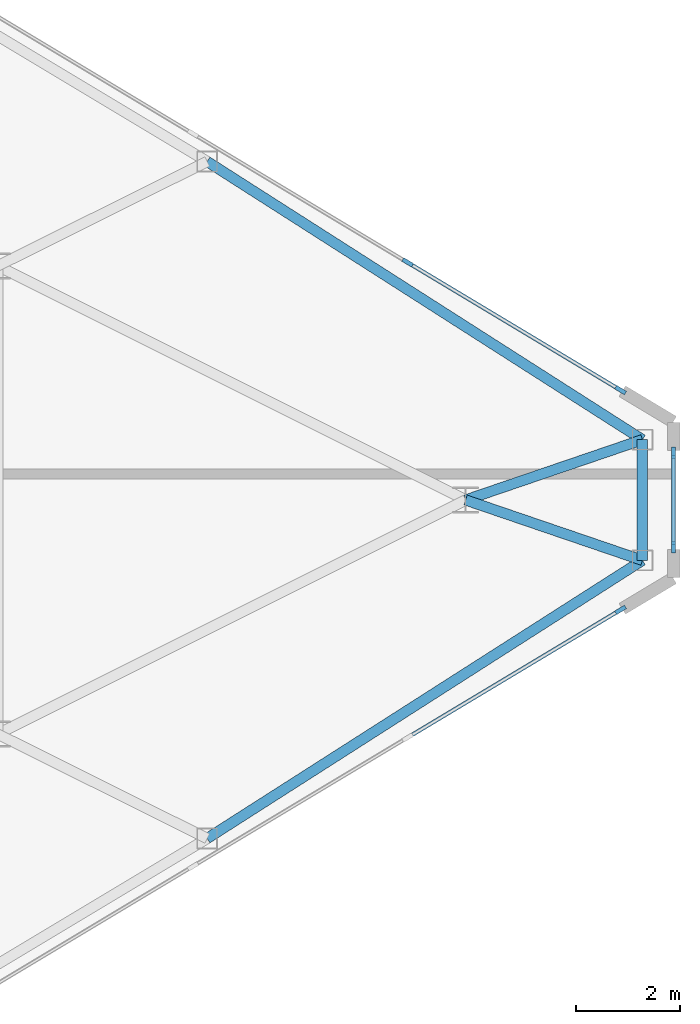
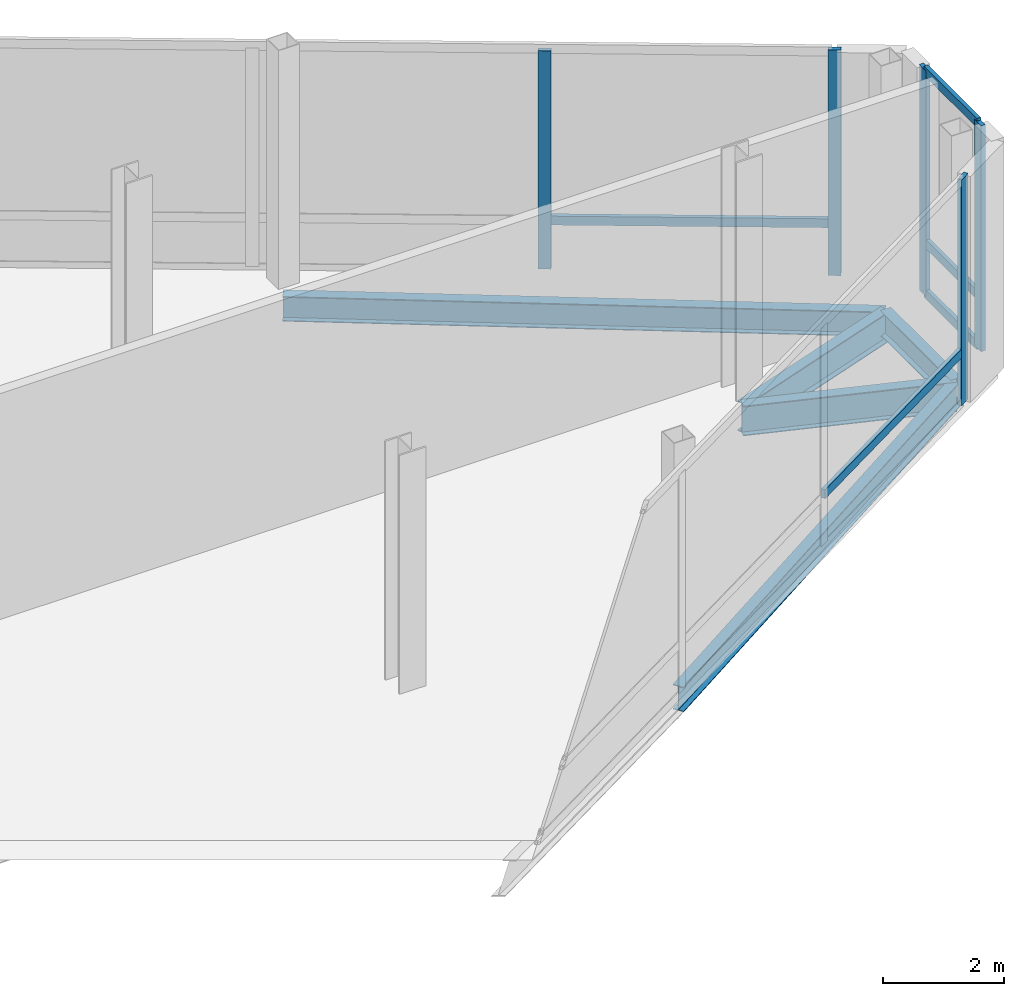
# One storey, part 18 of 29: 10 members, 5 beams, 3 elements without a shape of their own.
"""IFC4 building model written with IfcOpenShell, lengths in metres."""

from ifc_helpers import new_model, si_unit, direction, frame, origin, origin_2d, place, context, subcontext, project, spatial, rectangle, i_section, extrude, source, transform, mapped, material, layer, layer_set, material_profile, profile_set, type_object, type_shapes, element, aggregate, save


model = new_model("IFC4")

# Units and contexts
model_context = context("Model", 3, precision=1e-05, world=origin(), true_north=direction((0.0, 1.0)))
body_context = subcontext(model_context, "Body", "Model", "MODEL_VIEW")
ifc_project = project(units=[si_unit("LENGTHUNIT", "METRE"), si_unit("AREAUNIT", "SQUARE_METRE"), si_unit("VOLUMEUNIT", "CUBIC_METRE"), si_unit("PLANEANGLEUNIT", "RADIAN"), si_unit("MASSUNIT", "GRAM", prefix="KILO")], contexts=[model_context])

# Site, building, storey
site_placement = place(None, origin())
site = spatial("IfcSite", under=ifc_project, at=site_placement, CompositionType="ELEMENT")
building_placement = place(site_placement, origin())
building = spatial("IfcBuilding", under=site, at=building_placement, Name="Seokmaru Belvedere", CompositionType="ELEMENT")
storey_placement = place(building_placement, frame((0.0, 0.0, 229.800048828125)))
storey = spatial("IfcBuildingStorey", under=building, at=storey_placement, Name="L61", CompositionType="ELEMENT", Elevation=229.800048828125)

# Beams
ifc_material_1 = material(Name="Steel SM355 (355 MPa)", Category="steel")
ifc_material_profile_1 = material_profile(ifc_material_1, i_section(OverallWidth=0.199951171875, OverallDepth=0.5, WebThickness=0.010009765625, FlangeThickness=0.01611328125, at=origin_2d()), Name="H-500x200x10x16")
ifc_profile_set_1 = profile_set([ifc_material_profile_1], Name="Steel SM355 (355 MPa)")
beam_type_1 = type_object("IfcBeamType", Name="Perimeter Spandrel Beam H-500", PredefinedType="SPANDREL", material=ifc_profile_set_1)
shared_shape_1 = source(origin(), body_context, "Body", "SweptSolid", [
    extrude(i_section(OverallWidth=0.199951171875, OverallDepth=0.5, WebThickness=0.010009765625, FlangeThickness=0.01611328125, at=origin_2d()), origin(), (0.0, 0.0, 1.0), 9.932861328125),
])
for number, where, z_axis, x_axis, name in (
    (1, (58.530029296875, -6.5087890625, -0.510009765625), (0.842651960357, 0.538458609093, 0.0), (-0.538458609093, 0.842651960357, 0.0), "L61 E Faceted Flank Spandrel S-4"),
    (2, (58.530029296875, 6.5087890625, -0.510009765625), (0.842651960357, -0.538458609093, 0.0), (0.538458609093, 0.842651960357, 0.0), "L61 E Faceted Flank Spandrel N-4"),
):
    element("IfcBeam", number, at=place(storey_placement, frame(where, z_axis=z_axis, x_axis=x_axis)), inside=storey, type_object=beam_type_1, Name=name, PredefinedType="SPANDREL", context=body_context, shape_type="MappedRepresentation", body=[
        mapped(shared_shape_1, transform((0.0, 0.0, 0.0), scale=1.0)),
    ])
shared_shape_2 = source(origin(), body_context, "Body", "SweptSolid", [
    extrude(i_section(OverallWidth=0.199951171875, OverallDepth=0.5, WebThickness=0.010009765625, FlangeThickness=0.01611328125, at=origin_2d()), origin(), (0.0, 0.0, 1.0), 2.32080078125),
])
type_shapes(beam_type_1, [shared_shape_1, shared_shape_2])
beam_placement = place(storey_placement, frame((66.89990234375, -1.160400390625, -0.510009765625), z_axis=(0.0, 1.0, 0.0), x_axis=(-1.0, 0.0, 0.0)))
element("IfcBeam", 3, at=beam_placement, inside=storey, type_object=beam_type_1, Name="L61 E Faceted Apex Spandrel", PredefinedType="SPANDREL", context=body_context, shape_type="MappedRepresentation", body=[
    mapped(shared_shape_2, transform((0.0, 0.0, 0.0), scale=1.0)),
])
ifc_material_profile_2 = material_profile(ifc_material_1, i_section(OverallWidth=0.199951171875, OverallDepth=0.60009765625, WebThickness=0.010986328125, FlangeThickness=0.01708984375, at=origin_2d()), Name="H-600x200x11x17")
ifc_profile_set_2 = profile_set([ifc_material_profile_2], Name="Steel SM355 (355 MPa)")
beam_type_2 = type_object("IfcBeamType", Name="Primary Floor Girder H-600", PredefinedType="BEAM", material=ifc_profile_set_2)
shared_shape_3 = source(origin(), body_context, "Body", "SweptSolid", [
    extrude(i_section(OverallWidth=0.199951171875, OverallDepth=0.60009765625, WebThickness=0.010986328125, FlangeThickness=0.01708984375, at=origin_2d()), origin(), (0.0, 0.0, 1.0), 3.592529296875),
])
type_shapes(beam_type_2, [shared_shape_3])
for number, where, z_axis, x_axis, name in (
    (4, (66.89990234375, -1.160400390625, -0.56005859375), (-0.946395973048, 0.323008764893, 0.0), (-0.323008764893, -0.946395973048, 0.0), "L61 E Apex Radial Floor Girder 1"),
    (5, (66.89990234375, 1.160400390625, -0.56005859375), (-0.946395973048, -0.323008764893, 0.0), (0.323008764893, -0.946395973048, 0.0), "L61 E Apex Radial Floor Girder 2"),
):
    element("IfcBeam", number, at=place(storey_placement, frame(where, z_axis=z_axis, x_axis=x_axis)), inside=storey, type_object=beam_type_2, Name=name, PredefinedType="BEAM", context=body_context, shape_type="MappedRepresentation", body=[
        mapped(shared_shape_3, transform((0.0, 0.0, 0.0), scale=1.0)),
    ])

# Curtain wall, member
ifc_material_2 = material(Name="Bronze Triple Insulating Glass", Category="glass")
ifc_layer = layer(ifc_material_2, 0.219970703125)
ifc_layer_set = layer_set([ifc_layer], Name="Bronze Triple Insulating Glass")
curtain_wall_type = type_object("IfcCurtainWallType", Name="Sky-Gate Bridge Panorama Curtain Wall System CW-6", PredefinedType="NOTDEFINED", material=ifc_layer_set)
curtain_wall_1_placement = place(storey_placement, origin())
curtain_wall_1 = element("IfcCurtainWall", 6, at=curtain_wall_1_placement, inside=storey, type_object=curtain_wall_type, Name="L61 Curtain Wall EF1", PredefinedType="NOTDEFINED")
ifc_material_3 = material(Name="Anodised Bronze Aluminium", Category="aluminium")
ifc_material_profile_3 = material_profile(ifc_material_3, rectangle(XDim=0.080078125, YDim=0.219970703125, at=origin_2d()), Name="CW-M-80x220")
ifc_profile_set_3 = profile_set([ifc_material_profile_3], Name="Anodised Bronze Aluminium")
member_type_1 = type_object("IfcMemberType", Name="Bronze Unitised Mullion 80x220", PredefinedType="MULLION", material=ifc_profile_set_3)
shared_shape_4 = source(origin(), body_context, "Body", "SweptSolid", [
    extrude(rectangle(XDim=0.080078125, YDim=0.219970703125, at=origin_2d()), origin(), (0.0, 0.0, 1.0), 4.5400390625),
])
member_1_placement = place(storey_placement, frame((66.4794921875, -2.1123046875, 0.0), z_axis=(0.0, 0.0, 1.0), x_axis=(-0.514494909364, 0.85749343335, 0.0)))
member_1 = element("IfcMember", 7, at=member_1_placement, type_object=member_type_1, Name="CW:L61:EF1 Mullion 9", PredefinedType="MULLION", context=body_context, shape_type="MappedRepresentation", body=[
    mapped(shared_shape_4, transform((0.0, 0.0, 0.0), scale=1.0)),
])

# Curtain wall, members
curtain_wall_2_placement = place(storey_placement, origin())
curtain_wall_2 = element("IfcCurtainWall", 8, at=curtain_wall_2_placement, inside=storey, type_object=curtain_wall_type, Name="L61 Curtain Wall EF2", PredefinedType="NOTDEFINED")
member_2_placement = place(storey_placement, frame((67.5, -0.909912109375, 0.0), z_axis=(0.0, 0.0, 1.0), x_axis=(-1.0, 0.0, 0.0)))
member_2 = element("IfcMember", 9, at=member_2_placement, type_object=member_type_1, Name="CW:L61:EF2 Mullion 1", PredefinedType="MULLION", context=body_context, shape_type="MappedRepresentation", body=[
    mapped(shared_shape_4, transform((0.0, 0.0, 0.0), scale=1.0)),
])
member_3_placement = place(storey_placement, frame((67.5, 0.909912109375, 0.0), z_axis=(0.0, 0.0, 1.0), x_axis=(-1.0, 0.0, 0.0)))
member_3 = element("IfcMember", 10, at=member_3_placement, type_object=member_type_1, Name="CW:L61:EF2 Mullion 2", PredefinedType="MULLION", context=body_context, shape_type="MappedRepresentation", body=[
    mapped(shared_shape_4, transform((0.0, 0.0, 0.0), scale=1.0)),
])

curtain_wall_3_placement = place(storey_placement, origin())
curtain_wall_3 = element("IfcCurtainWall", 11, at=curtain_wall_3_placement, inside=storey, type_object=curtain_wall_type, Name="L61 Curtain Wall EF3", PredefinedType="NOTDEFINED")
member_4_placement = place(storey_placement, frame((66.4794921875, 2.1123046875, 0.0), z_axis=(0.0, 0.0, 1.0), x_axis=(-0.514494909364, -0.85749343335, 0.0)))
member_4 = element("IfcMember", 12, at=member_4_placement, type_object=member_type_1, Name="CW:L61:EF3 Mullion 1", PredefinedType="MULLION", context=body_context, shape_type="MappedRepresentation", body=[
    mapped(shared_shape_4, transform((0.0, 0.0, 0.0), scale=1.0)),
])
shared_shape_5 = source(origin(), body_context, "Body", "SweptSolid", [
    extrude(rectangle(XDim=0.080078125, YDim=0.219970703125, at=origin_2d()), origin(), (0.0, 0.0, 1.0), 4.389892578125),
])
type_shapes(member_type_1, [shared_shape_4, shared_shape_5])
member_5_placement = place(storey_placement, frame((62.385498046875, 4.56884765625, 0.074951171875), z_axis=(0.0, 0.0, 1.0), x_axis=(-0.514494909364, -0.85749343335, 0.0)))
member_5 = element("IfcMember", 13, at=member_5_placement, type_object=member_type_1, Name="CW:L61:EF3 Mullion 2", PredefinedType="MULLION", context=body_context, shape_type="MappedRepresentation", body=[
    mapped(shared_shape_5, transform((0.0, 0.0, 0.0), scale=1.0)),
])

# Member
ifc_material_profile_4 = material_profile(ifc_material_3, rectangle(XDim=0.074951171875, YDim=0.179931640625, at=origin_2d()), Name="CW-T-75x180")
ifc_profile_set_4 = profile_set([ifc_material_profile_4], Name="Anodised Bronze Aluminium")
member_type_2 = type_object("IfcMemberType", Name="Bronze Unitised Transom 75x180", PredefinedType="USERDEFINED", material=ifc_profile_set_4)
shared_shape_6 = source(origin(), body_context, "Body", "SweptSolid", [
    extrude(rectangle(XDim=0.074951171875, YDim=0.179931640625, at=origin_2d()), origin(), (0.0, 0.0, 1.0), 4.694580078125),
])
member_6_placement = place(storey_placement, frame((62.419677734375, -4.548095703125, 1.050048828125), z_axis=(0.85750210284, 0.514480459906, 0.0), x_axis=(-0.514480459906, 0.85750210284, 0.0)))
member_6 = element("IfcMember", 14, at=member_6_placement, type_object=member_type_2, Name="CW:L61:EF1 Spandrel Transom 8", ObjectType="TRANSOM", PredefinedType="USERDEFINED", context=body_context, shape_type="MappedRepresentation", body=[
    mapped(shared_shape_6, transform((0.0, 0.0, 0.0), scale=1.0)),
])

aggregate(curtain_wall_1, [member_1, member_6])

member_7_placement = place(storey_placement, frame((66.4453125, 2.1328125, 1.050048828125), z_axis=(-0.85750210284, 0.514480459906, 0.0), x_axis=(-0.514480459906, -0.85750210284, 0.0)))
member_7 = element("IfcMember", 15, at=member_7_placement, type_object=member_type_2, Name="CW:L61:EF3 Spandrel Transom 1", ObjectType="TRANSOM", PredefinedType="USERDEFINED", context=body_context, shape_type="MappedRepresentation", body=[
    mapped(shared_shape_6, transform((0.0, 0.0, 0.0), scale=1.0)),
])

aggregate(curtain_wall_3, [member_4, member_5, member_7])

shared_shape_7 = source(origin(), body_context, "Body", "SweptSolid", [
    extrude(rectangle(XDim=0.074951171875, YDim=0.179931640625, at=origin_2d()), origin(), (0.0, 0.0, 1.0), 1.740234375),
])
type_shapes(member_type_2, [shared_shape_6, shared_shape_7])
member_8_placement = place(storey_placement, frame((67.5, -0.8701171875, 0.037353515625), z_axis=(0.0, 1.0, 0.0), x_axis=(-1.0, 0.0, 0.0)))
member_8 = element("IfcMember", 16, at=member_8_placement, type_object=member_type_2, Name="CW:L61:EF2 Continuous Transom 1", ObjectType="TRANSOM", PredefinedType="USERDEFINED", context=body_context, shape_type="MappedRepresentation", body=[
    mapped(shared_shape_7, transform((0.0, 0.0, 0.0), scale=1.0)),
])

member_9_placement = place(storey_placement, frame((67.5, -0.8701171875, 4.50244140625), z_axis=(0.0, 1.0, 0.0), x_axis=(-1.0, 0.0, 0.0)))
member_9 = element("IfcMember", 17, at=member_9_placement, type_object=member_type_2, Name="CW:L61:EF2 Continuous Transom 2", ObjectType="TRANSOM", PredefinedType="USERDEFINED", context=body_context, shape_type="MappedRepresentation", body=[
    mapped(shared_shape_7, transform((0.0, 0.0, 0.0), scale=1.0)),
])

member_10_placement = place(storey_placement, frame((67.5, -0.8701171875, 1.050048828125), z_axis=(0.0, 1.0, 0.0), x_axis=(-1.0, 0.0, 0.0)))
member_10 = element("IfcMember", 18, at=member_10_placement, type_object=member_type_2, Name="CW:L61:EF2 Spandrel Transom 1", ObjectType="TRANSOM", PredefinedType="USERDEFINED", context=body_context, shape_type="MappedRepresentation", body=[
    mapped(shared_shape_7, transform((0.0, 0.0, 0.0), scale=1.0)),
])

aggregate(curtain_wall_2, [member_2, member_3, member_8, member_9, member_10])

save(model, "model.ifc")
